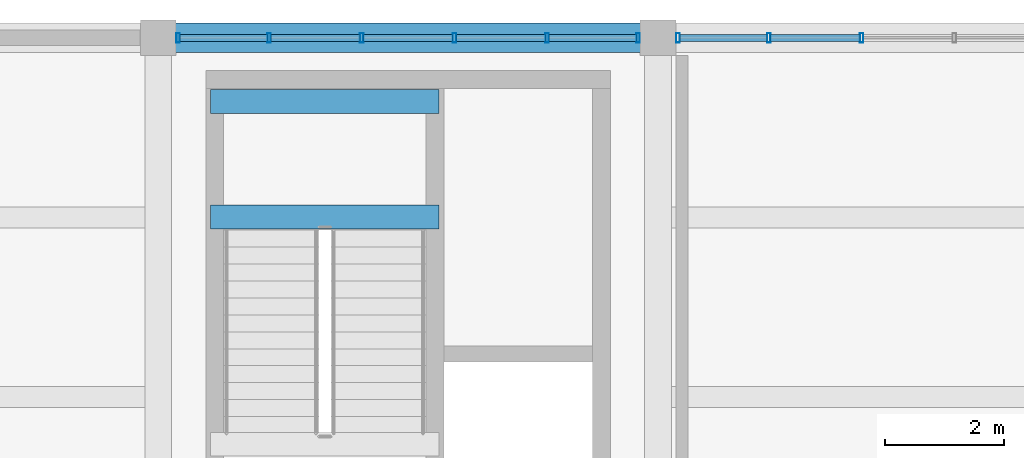
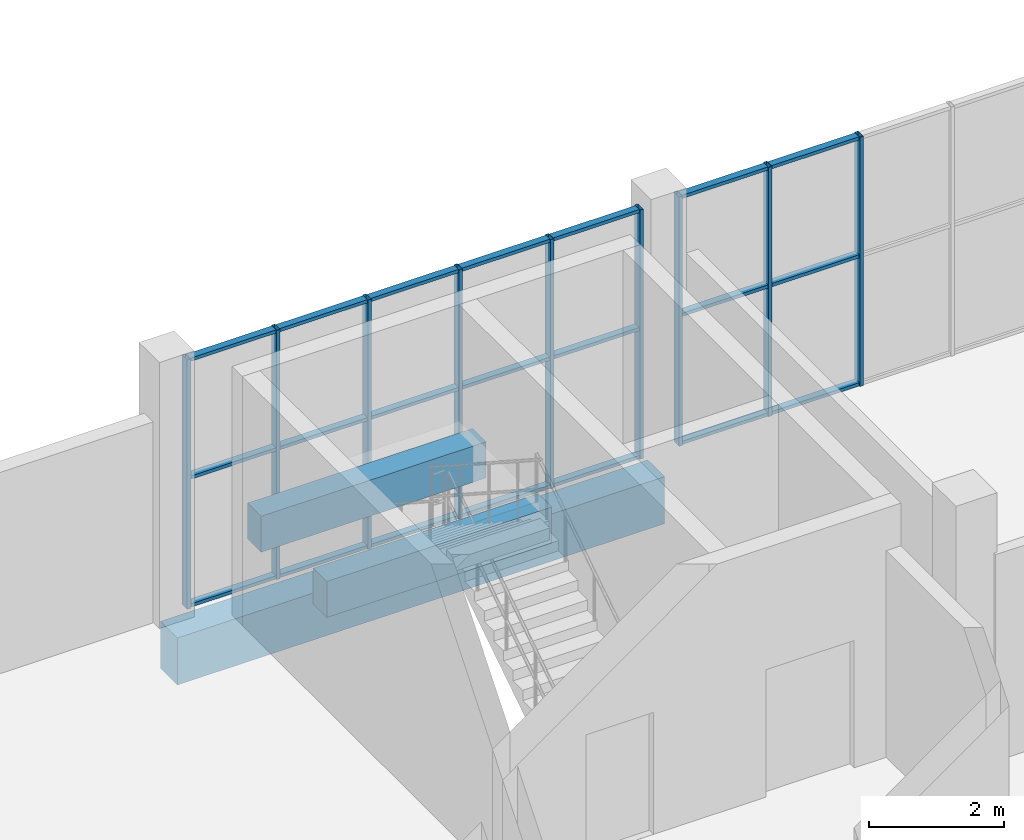
# One storey, part 35 of 80: 30 members, 3 beams, 2 elements without a shape of their own.
"""IFC4 building model written with IfcOpenShell, lengths in metres."""

import ifcopenshell
import ifcopenshell.guid

model = None  # the IFC model being written
_history = None  # IfcOwnerHistory: only IFC2X3 demands one
_inside = {}  # id of a spatial element -> (the spatial element, [elements in it])
_under = {}  # id of a project, library or spatial element -> (it, [spatial elements below it])
_declared = {}  # id of a project -> (the project, [libraries it declares])
_typed = {}  # id of a type object -> (the type object, [elements of that type])
_made_of = {}  # id of a material, layer set ... -> (it, [elements and type objects made of it])


def new_model(schema):
    """Start an empty IFC model of exactly this schema.

    Asked for "IFC4X3", IfcOpenShell would pick the latest addendum, in which some entities
    have other attributes; the version numbers below select the first issue.
    IFC2X3 requires an IfcOwnerHistory on every rooted entity: one is made here for all.
    """
    global model, _history
    if schema == "IFC4X3":
        model = ifcopenshell.file(schema_version=(4, 3, 0, 0))
    else:
        model = ifcopenshell.file(schema=schema)
    _inside.clear()
    _under.clear()
    _declared.clear()
    _typed.clear()
    _made_of.clear()
    _history = None
    if model.schema == "IFC2X3":
        org = make("IfcOrganization", Name="unknown")
        user = make(
            "IfcPersonAndOrganization",
            ThePerson=make("IfcPerson", FamilyName="unknown"),
            TheOrganization=org,
        )
        app = make(
            "IfcApplication",
            ApplicationDeveloper=org,
            Version="unknown",
            ApplicationFullName="unknown",
            ApplicationIdentifier="unknown",
        )
        _history = make(
            "IfcOwnerHistory",
            OwningUser=user,
            OwningApplication=app,
            ChangeAction="ADDED",
            CreationDate=0,
        )
    return model


def make(cls, **values):
    """One entity of the class cls with the attributes given. An attribute that is None is left unset."""
    return model.create_entity(
        cls, **{name: value for name, value in values.items() if value is not None}
    )


def rooted(cls, **values):
    """An entity with a GlobalId (a new one), such as an element, a storey or a relation."""
    return make(cls, GlobalId=ifcopenshell.guid.new(), OwnerHistory=_history, **values)


def si_unit(unit_type, name, prefix=None):
    """IfcSIUnit, for example si_unit("LENGTHUNIT", "METRE", prefix="MILLI")."""
    return make("IfcSIUnit", UnitType=unit_type, Prefix=prefix, Name=name)


def assignment(units):
    """IfcUnitAssignment: the units of a project."""
    return None if units is None else make("IfcUnitAssignment", Units=units)


def point(xyz):
    """IfcCartesianPoint."""
    return None if xyz is None else make("IfcCartesianPoint", Coordinates=xyz)


def direction(xyz):
    """IfcDirection."""
    return None if xyz is None else make("IfcDirection", DirectionRatios=xyz)


def frame(location, z_axis=None, x_axis=None):
    """IfcAxis2Placement3D, a coordinate frame: its origin and axes. An axis left out is left unset."""
    return make(
        "IfcAxis2Placement3D",
        Location=point(location),
        Axis=direction(z_axis),
        RefDirection=direction(x_axis),
    )


def frame_2d(location, x_axis=None):
    """IfcAxis2Placement2D, a coordinate frame in the plane: its origin and x axis."""
    return make(
        "IfcAxis2Placement2D", Location=point(location), RefDirection=direction(x_axis)
    )


def origin():
    """The frame at (0, 0, 0) with its axes left unset."""
    return frame((0.0, 0.0, 0.0))


def origin_2d():
    """The frame at (0, 0) in the plane with its x axis left unset."""
    return frame_2d((0.0, 0.0))


def place(relative_to, where):
    """IfcLocalPlacement: puts the frame where relative to a parent placement (None: the world)."""
    return make(
        "IfcLocalPlacement", PlacementRelTo=relative_to, RelativePlacement=where
    )


def context(
    kind, dimensions, precision=None, world=None, true_north=None, identifier=None
):
    """IfcGeometricRepresentationContext, for example the 3D "Model" context."""
    return make(
        "IfcGeometricRepresentationContext",
        ContextIdentifier=identifier,
        ContextType=kind,
        CoordinateSpaceDimension=dimensions,
        Precision=precision,
        WorldCoordinateSystem=world,
        TrueNorth=true_north,
    )


def subcontext(parent, identifier, kind, view, scale=None):
    """IfcGeometricRepresentationSubContext, for example "Body" below "Model"."""
    return make(
        "IfcGeometricRepresentationSubContext",
        ContextIdentifier=identifier,
        ContextType=kind,
        ParentContext=parent,
        TargetScale=scale,
        TargetView=view,
    )


def project(units=None, contexts=None):
    """IfcProject with its units and contexts."""
    return rooted(
        "IfcProject",
        Name="project",
        RepresentationContexts=contexts,
        UnitsInContext=assignment(units),
    )


def spatial(cls, under=None, at=None, **own):
    """A site, building, storey or space (cls), placed at a placement, below another one or the project."""
    s = rooted(cls, ObjectPlacement=at, **own)
    if under is not None:
        _under.setdefault(under.id(), (under, []))[1].append(s)
    return s


def profile(cls, at=None, kind="AREA", **sizes):
    """A parametric profile (cls). Its sizes go by their IFC names, for example OverallWidth=200.0."""
    return make(cls, ProfileType=kind, Position=at, **sizes)


def rectangle(**sizes):
    """IfcRectangleProfileDef."""
    return profile("IfcRectangleProfileDef", **sizes)


def hollow_rectangle(**sizes):
    """IfcRectangleHollowProfileDef."""
    return profile("IfcRectangleHollowProfileDef", **sizes)


def extrude(swept, where, along, depth):
    """IfcExtrudedAreaSolid: the profile swept, set in the frame where, extruded along a direction by depth."""
    return make(
        "IfcExtrudedAreaSolid",
        SweptArea=swept,
        Position=where,
        ExtrudedDirection=direction(along),
        Depth=depth,
    )


def shape(context_of_items, identifier, shape_type, items):
    """IfcShapeRepresentation: the items that make up one representation, for example the "Body"."""
    return make(
        "IfcShapeRepresentation",
        ContextOfItems=context_of_items,
        RepresentationIdentifier=identifier,
        RepresentationType=shape_type,
        Items=items,
    )


def material(Name=None, Category=None):
    """IfcMaterial."""
    return make("IfcMaterial", Name=Name, Category=Category)


def material_profile(
    of_material, cross_section, Name=None, Category=None, Priority=None
):
    """IfcMaterialProfile: a cross section and its material."""
    return make(
        "IfcMaterialProfile",
        Name=Name,
        Material=of_material,
        Profile=cross_section,
        Priority=Priority,
        Category=Category,
    )


def profile_set(profiles, Name=None, composite=None):
    """IfcMaterialProfileSet."""
    return make(
        "IfcMaterialProfileSet",
        Name=Name,
        MaterialProfiles=profiles,
        CompositeProfile=composite,
    )


def made_of(thing, what):
    """Note that an element or type object is made of a material, layer set ...; save() writes the relation."""
    if what is not None:
        _made_of.setdefault(what.id(), (what, []))[1].append(thing)
    return thing


def type_object(cls, material=None, **own):
    """A type object (cls), such as IfcWallType, which elements share."""
    return made_of(rooted(cls, **own), material)


def element(
    cls,
    number,
    at=None,
    inside=None,
    cuts=None,
    type_object=None,
    material=None,
    context=None,
    identifier="Body",
    shape_type=None,
    held_by="IfcProductDefinitionShape",
    body=None,
    shapes=None,
    **own,
):
    """One element of the class cls, such as IfcWall. Its Tag is "e" and its number.

    at: its placement. inside: the storey or other place that contains it. cuts: it is an
    opening in that element (IfcRelVoidsElement). A single representation is given by context,
    identifier, shape_type and body (its items); several are given by shapes. held_by: the class
    of the entity that holds the representations. save() writes the other relations.
    """
    e = rooted(cls, Tag="e%d" % number, ObjectPlacement=at, **own)
    if body is not None:
        shapes = [shape(context, identifier, shape_type, body)]
    if shapes is not None:
        e.Representation = make(held_by, Representations=shapes)
    if inside is not None:
        _inside.setdefault(inside.id(), (inside, []))[1].append(e)
    if cuts is not None:
        rooted(
            "IfcRelVoidsElement", RelatingBuildingElement=cuts, RelatedOpeningElement=e
        )
    if type_object is not None:
        _typed.setdefault(type_object.id(), (type_object, []))[1].append(e)
    return made_of(e, material)


def aggregate(whole, parts):
    """IfcRelAggregates: a whole, such as a stair, and the parts it consists of."""
    return rooted("IfcRelAggregates", RelatingObject=whole, RelatedObjects=parts)


def save(model, path):
    """Write the relations noted so far, then the file.

    IfcRelAggregates (storeys below a building ...), IfcRelContainedInSpatialStructure (elements
    in a storey), IfcRelDefinesByType, IfcRelAssociatesMaterial and IfcRelDeclares: one each for
    every whole, place, type object, material and project.
    """
    for whole, parts in _under.values():
        aggregate(whole, parts)
    for where, things in _inside.values():
        rooted(
            "IfcRelContainedInSpatialStructure",
            RelatedElements=things,
            RelatingStructure=where,
        )
    for kind, things in _typed.values():
        rooted("IfcRelDefinesByType", RelatedObjects=things, RelatingType=kind)
    for what, things in _made_of.values():
        rooted("IfcRelAssociatesMaterial", RelatedObjects=things, RelatingMaterial=what)
    for by, libraries in _declared.values():
        rooted("IfcRelDeclares", RelatingContext=by, RelatedDefinitions=libraries)
    model.write(path)


model = new_model("IFC4")

# Units and contexts
model_context = context("Model", 3, precision=1e-05, world=origin(), true_north=direction((0.0, 1.0)))
body_context = subcontext(model_context, "Body", "Model", "MODEL_VIEW")
ifc_project = project(units=[si_unit("LENGTHUNIT", "METRE"), si_unit("AREAUNIT", "SQUARE_METRE"), si_unit("VOLUMEUNIT", "CUBIC_METRE"), si_unit("PLANEANGLEUNIT", "RADIAN"), si_unit("MASSUNIT", "GRAM", prefix="KILO")], contexts=[model_context])

# Site, building, storey
site_placement = place(None, origin())
site = spatial("IfcSite", under=ifc_project, at=site_placement, CompositionType="ELEMENT")
building_placement = place(site_placement, origin())
building = spatial("IfcBuilding", under=site, at=building_placement, Name="Khurvash Pelagic Aquarium", CompositionType="ELEMENT")
storey_placement = place(building_placement, frame((0.0, 0.0, 10.800048828125)))
storey = spatial("IfcBuildingStorey", under=building, at=storey_placement, Name="L02", CompositionType="ELEMENT", Elevation=10.800048828125)

# Beams
ifc_material_1 = material(Name="Concrete C35/45", Category="concrete")
ifc_material_profile_1 = material_profile(ifc_material_1, rectangle(XDim=0.39990234375, YDim=0.64990234375, at=origin_2d()), Name="RC400X650")
ifc_profile_set_1 = profile_set([ifc_material_profile_1], Name="Concrete C35/45")
beam_type_1 = type_object("IfcBeamType", Name="BM-05", PredefinedType="BEAM", material=ifc_profile_set_1)
for number, where, z_axis, x_axis, name in (
    (1, (68.080078125, 99.139892578125, 1.875), (1.0, 0.0, 0.0), (0.0, 1.0, 0.0), "L02 Stair ST-04 Mid-Landing Trimmer Beam BM-05"),
    (2, (68.080078125, 101.080078125, 1.875), (1.0, 0.0, 0.0), (0.0, 1.0, 0.0), "L02 Stair ST-04 Mid-Landing Trimmer Beam BM-05"),
):
    element("IfcBeam", number, at=place(storey_placement, frame(where, z_axis=z_axis, x_axis=x_axis)), inside=storey, type_object=beam_type_1, Name=name, PredefinedType="BEAM", context=body_context, shape_type="SweptSolid", body=[
        extrude(rectangle(XDim=0.39990234375, YDim=0.64990234375, at=origin_2d()), origin(), (0.0, 0.0, 1.0), 3.83984375),
    ])

# Curtain wall, members
ifc_material_2 = material(Name="Anodised aluminium and low-E laminated glass", Category="aluminium")
curtain_wall_type = type_object("IfcCurtainWallType", Name="CW-06", PredefinedType="USERDEFINED", material=ifc_material_2)
curtain_wall_1_placement = place(storey_placement, origin())
curtain_wall_1 = element("IfcCurtainWall", 3, at=curtain_wall_1_placement, inside=storey, type_object=curtain_wall_type, Name="L02 Facade Unitised Curtain Wall CW-06 0167", ObjectType="UNITISED CURTAIN WALL", PredefinedType="USERDEFINED")
ifc_material_3 = material(Name="Extruded aluminium AW-6063-T6", Category="aluminium")
ifc_material_profile_2 = material_profile(ifc_material_3, hollow_rectangle(XDim=0.06005859375, YDim=0.159912109375, WallThickness=0.00390625, at=origin_2d()), Name="CWM60X160X4")
ifc_profile_set_2 = profile_set([ifc_material_profile_2], Name="Extruded aluminium AW-6063-T6")
member_type_1 = type_object("IfcMemberType", Name="CM-02", PredefinedType="MULLION", material=ifc_profile_set_2)
member_1_placement = place(storey_placement, frame((79.02099609375, 102.14990234375, 0.0), z_axis=(0.0, 0.0, 1.0), x_axis=(-1.0, 0.0, 0.0)))
member_1 = element("IfcMember", 4, at=member_1_placement, type_object=member_type_1, Name="CW-06 mullion 4", PredefinedType="MULLION", context=body_context, shape_type="SweptSolid", body=[
    extrude(hollow_rectangle(XDim=0.06005859375, YDim=0.159912109375, WallThickness=0.00390625, at=origin_2d()), origin(), (0.0, 0.0, 1.0), 4.5),
])
member_2_placement = place(storey_placement, frame((77.462890625, 102.14990234375, 0.0), z_axis=(0.0, 0.0, 1.0), x_axis=(-1.0, 0.0, 0.0)))
member_2 = element("IfcMember", 5, at=member_2_placement, type_object=member_type_1, Name="CW-06 mullion 5", PredefinedType="MULLION", context=body_context, shape_type="SweptSolid", body=[
    extrude(hollow_rectangle(XDim=0.06005859375, YDim=0.159912109375, WallThickness=0.00390625, at=origin_2d()), origin(), (0.0, 0.0, 1.0), 4.5),
])
member_3_placement = place(storey_placement, frame((75.93505859375, 102.14990234375, 0.0), z_axis=(0.0, 0.0, 1.0), x_axis=(-1.0, 0.0, 0.0)))
member_3 = element("IfcMember", 6, at=member_3_placement, type_object=member_type_1, Name="CW-06 mullion 6", PredefinedType="MULLION", context=body_context, shape_type="SweptSolid", body=[
    extrude(hollow_rectangle(XDim=0.06005859375, YDim=0.159912109375, WallThickness=0.00390625, at=origin_2d()), origin(), (0.0, 0.0, 1.0), 4.5),
])

curtain_wall_2_placement = place(storey_placement, origin())
curtain_wall_2 = element("IfcCurtainWall", 7, at=curtain_wall_2_placement, inside=storey, type_object=curtain_wall_type, Name="L02 Facade Unitised Curtain Wall CW-06 0168", ObjectType="UNITISED CURTAIN WALL", PredefinedType="USERDEFINED")
member_4_placement = place(storey_placement, frame((75.264892578125, 102.14990234375, 0.0), z_axis=(0.0, 0.0, 1.0), x_axis=(-1.0, 0.0, 0.0)))
member_4 = element("IfcMember", 8, at=member_4_placement, type_object=member_type_1, Name="CW-06 mullion 1", PredefinedType="MULLION", context=body_context, shape_type="SweptSolid", body=[
    extrude(hollow_rectangle(XDim=0.06005859375, YDim=0.159912109375, WallThickness=0.00390625, at=origin_2d()), origin(), (0.0, 0.0, 1.0), 4.5),
])
member_5_placement = place(storey_placement, frame((73.737060546875, 102.14990234375, 0.0), z_axis=(0.0, 0.0, 1.0), x_axis=(-1.0, 0.0, 0.0)))
member_5 = element("IfcMember", 9, at=member_5_placement, type_object=member_type_1, Name="CW-06 mullion 2", PredefinedType="MULLION", context=body_context, shape_type="SweptSolid", body=[
    extrude(hollow_rectangle(XDim=0.06005859375, YDim=0.159912109375, WallThickness=0.00390625, at=origin_2d()), origin(), (0.0, 0.0, 1.0), 4.5),
])
member_6_placement = place(storey_placement, frame((72.178955078125, 102.14990234375, 0.0), z_axis=(0.0, 0.0, 1.0), x_axis=(-1.0, 0.0, 0.0)))
member_6 = element("IfcMember", 10, at=member_6_placement, type_object=member_type_1, Name="CW-06 mullion 3", PredefinedType="MULLION", context=body_context, shape_type="SweptSolid", body=[
    extrude(hollow_rectangle(XDim=0.06005859375, YDim=0.159912109375, WallThickness=0.00390625, at=origin_2d()), origin(), (0.0, 0.0, 1.0), 4.5),
])
member_7_placement = place(storey_placement, frame((70.62109375, 102.14990234375, 0.0), z_axis=(0.0, 0.0, 1.0), x_axis=(-1.0, 0.0, 0.0)))
member_7 = element("IfcMember", 11, at=member_7_placement, type_object=member_type_1, Name="CW-06 mullion 4", PredefinedType="MULLION", context=body_context, shape_type="SweptSolid", body=[
    extrude(hollow_rectangle(XDim=0.06005859375, YDim=0.159912109375, WallThickness=0.00390625, at=origin_2d()), origin(), (0.0, 0.0, 1.0), 4.5),
])
member_8_placement = place(storey_placement, frame((69.06298828125, 102.14990234375, 0.0), z_axis=(0.0, 0.0, 1.0), x_axis=(-1.0, 0.0, 0.0)))
member_8 = element("IfcMember", 12, at=member_8_placement, type_object=member_type_1, Name="CW-06 mullion 5", PredefinedType="MULLION", context=body_context, shape_type="SweptSolid", body=[
    extrude(hollow_rectangle(XDim=0.06005859375, YDim=0.159912109375, WallThickness=0.00390625, at=origin_2d()), origin(), (0.0, 0.0, 1.0), 4.5),
])
member_9_placement = place(storey_placement, frame((67.534912109375, 102.14990234375, 0.0), z_axis=(0.0, 0.0, 1.0), x_axis=(-1.0, 0.0, 0.0)))
member_9 = element("IfcMember", 13, at=member_9_placement, type_object=member_type_1, Name="CW-06 mullion 6", PredefinedType="MULLION", context=body_context, shape_type="SweptSolid", body=[
    extrude(hollow_rectangle(XDim=0.06005859375, YDim=0.159912109375, WallThickness=0.00390625, at=origin_2d()), origin(), (0.0, 0.0, 1.0), 4.5),
])

# Member
ifc_material_profile_3 = material_profile(ifc_material_3, hollow_rectangle(XDim=0.1201171875, YDim=0.06005859375, WallThickness=0.00390625, at=origin_2d()), Name="CWT120X60X4")
ifc_profile_set_3 = profile_set([ifc_material_profile_3], Name="Extruded aluminium AW-6063-T6")
member_type_2 = type_object("IfcMemberType", Name="CT-02", PredefinedType="USERDEFINED", material=ifc_profile_set_3)
member_10_placement = place(storey_placement, frame((78.990966796875, 102.14990234375, 0.030029296875), z_axis=(-1.0, 0.0, 0.0), x_axis=(0.0, -1.0, 0.0)))
member_10 = element("IfcMember", 14, at=member_10_placement, type_object=member_type_2, Name="CW-06 transom 4.1", ObjectType="TRANSOM", PredefinedType="USERDEFINED", context=body_context, shape_type="SweptSolid", body=[
    extrude(hollow_rectangle(XDim=0.1201171875, YDim=0.06005859375, WallThickness=0.00390625, at=origin_2d()), origin(), (0.0, 0.0, 1.0), 1.498046875),
])

member_11_placement = place(storey_placement, frame((78.990966796875, 102.14990234375, 2.33984375), z_axis=(-1.0, 0.0, 0.0), x_axis=(0.0, -1.0, 0.0)))
member_11 = element("IfcMember", 15, at=member_11_placement, type_object=member_type_2, Name="CW-06 transom 4.2", ObjectType="TRANSOM", PredefinedType="USERDEFINED", context=body_context, shape_type="SweptSolid", body=[
    extrude(hollow_rectangle(XDim=0.1201171875, YDim=0.06005859375, WallThickness=0.00390625, at=origin_2d()), origin(), (0.0, 0.0, 1.0), 1.498046875),
])

member_12_placement = place(storey_placement, frame((78.990966796875, 102.14990234375, 4.469970703125), z_axis=(-1.0, 0.0, 0.0), x_axis=(0.0, -1.0, 0.0)))
member_12 = element("IfcMember", 16, at=member_12_placement, type_object=member_type_2, Name="CW-06 transom 4.3", ObjectType="TRANSOM", PredefinedType="USERDEFINED", context=body_context, shape_type="SweptSolid", body=[
    extrude(hollow_rectangle(XDim=0.1201171875, YDim=0.06005859375, WallThickness=0.00390625, at=origin_2d()), origin(), (0.0, 0.0, 1.0), 1.498046875),
])

member_13_placement = place(storey_placement, frame((77.43310546875, 102.14990234375, 0.030029296875), z_axis=(-1.0, 0.0, 0.0), x_axis=(0.0, -1.0, 0.0)))
member_13 = element("IfcMember", 17, at=member_13_placement, type_object=member_type_2, Name="CW-06 transom 5.1", ObjectType="TRANSOM", PredefinedType="USERDEFINED", context=body_context, shape_type="SweptSolid", body=[
    extrude(hollow_rectangle(XDim=0.1201171875, YDim=0.06005859375, WallThickness=0.00390625, at=origin_2d()), origin(), (0.0, 0.0, 1.0), 1.468017578125),
])

member_14_placement = place(storey_placement, frame((77.43310546875, 102.14990234375, 2.33984375), z_axis=(-1.0, 0.0, 0.0), x_axis=(0.0, -1.0, 0.0)))
member_14 = element("IfcMember", 18, at=member_14_placement, type_object=member_type_2, Name="CW-06 transom 5.2", ObjectType="TRANSOM", PredefinedType="USERDEFINED", context=body_context, shape_type="SweptSolid", body=[
    extrude(hollow_rectangle(XDim=0.1201171875, YDim=0.06005859375, WallThickness=0.00390625, at=origin_2d()), origin(), (0.0, 0.0, 1.0), 1.468017578125),
])

member_15_placement = place(storey_placement, frame((77.43310546875, 102.14990234375, 4.469970703125), z_axis=(-1.0, 0.0, 0.0), x_axis=(0.0, -1.0, 0.0)))
member_15 = element("IfcMember", 19, at=member_15_placement, type_object=member_type_2, Name="CW-06 transom 5.3", ObjectType="TRANSOM", PredefinedType="USERDEFINED", context=body_context, shape_type="SweptSolid", body=[
    extrude(hollow_rectangle(XDim=0.1201171875, YDim=0.06005859375, WallThickness=0.00390625, at=origin_2d()), origin(), (0.0, 0.0, 1.0), 1.468017578125),
])

aggregate(curtain_wall_1, [member_1, member_2, member_3, member_10, member_11, member_12, member_13, member_14, member_15])

member_16_placement = place(storey_placement, frame((75.235107421875, 102.14990234375, 0.030029296875), z_axis=(-1.0, 0.0, 0.0), x_axis=(0.0, -1.0, 0.0)))
member_16 = element("IfcMember", 20, at=member_16_placement, type_object=member_type_2, Name="CW-06 transom 1.1", ObjectType="TRANSOM", PredefinedType="USERDEFINED", context=body_context, shape_type="SweptSolid", body=[
    extrude(hollow_rectangle(XDim=0.1201171875, YDim=0.06005859375, WallThickness=0.00390625, at=origin_2d()), origin(), (0.0, 0.0, 1.0), 1.468017578125),
])

member_17_placement = place(storey_placement, frame((75.235107421875, 102.14990234375, 2.33984375), z_axis=(-1.0, 0.0, 0.0), x_axis=(0.0, -1.0, 0.0)))
member_17 = element("IfcMember", 21, at=member_17_placement, type_object=member_type_2, Name="CW-06 transom 1.2", ObjectType="TRANSOM", PredefinedType="USERDEFINED", context=body_context, shape_type="SweptSolid", body=[
    extrude(hollow_rectangle(XDim=0.1201171875, YDim=0.06005859375, WallThickness=0.00390625, at=origin_2d()), origin(), (0.0, 0.0, 1.0), 1.468017578125),
])

member_18_placement = place(storey_placement, frame((75.235107421875, 102.14990234375, 4.469970703125), z_axis=(-1.0, 0.0, 0.0), x_axis=(0.0, -1.0, 0.0)))
member_18 = element("IfcMember", 22, at=member_18_placement, type_object=member_type_2, Name="CW-06 transom 1.3", ObjectType="TRANSOM", PredefinedType="USERDEFINED", context=body_context, shape_type="SweptSolid", body=[
    extrude(hollow_rectangle(XDim=0.1201171875, YDim=0.06005859375, WallThickness=0.00390625, at=origin_2d()), origin(), (0.0, 0.0, 1.0), 1.468017578125),
])

member_19_placement = place(storey_placement, frame((73.70703125, 102.14990234375, 0.030029296875), z_axis=(-1.0, 0.0, 0.0), x_axis=(0.0, -1.0, 0.0)))
member_19 = element("IfcMember", 23, at=member_19_placement, type_object=member_type_2, Name="CW-06 transom 2.1", ObjectType="TRANSOM", PredefinedType="USERDEFINED", context=body_context, shape_type="SweptSolid", body=[
    extrude(hollow_rectangle(XDim=0.1201171875, YDim=0.06005859375, WallThickness=0.00390625, at=origin_2d()), origin(), (0.0, 0.0, 1.0), 1.498046875),
])

member_20_placement = place(storey_placement, frame((73.70703125, 102.14990234375, 2.33984375), z_axis=(-1.0, 0.0, 0.0), x_axis=(0.0, -1.0, 0.0)))
member_20 = element("IfcMember", 24, at=member_20_placement, type_object=member_type_2, Name="CW-06 transom 2.2", ObjectType="TRANSOM", PredefinedType="USERDEFINED", context=body_context, shape_type="SweptSolid", body=[
    extrude(hollow_rectangle(XDim=0.1201171875, YDim=0.06005859375, WallThickness=0.00390625, at=origin_2d()), origin(), (0.0, 0.0, 1.0), 1.498046875),
])

member_21_placement = place(storey_placement, frame((73.70703125, 102.14990234375, 4.469970703125), z_axis=(-1.0, 0.0, 0.0), x_axis=(0.0, -1.0, 0.0)))
member_21 = element("IfcMember", 25, at=member_21_placement, type_object=member_type_2, Name="CW-06 transom 2.3", ObjectType="TRANSOM", PredefinedType="USERDEFINED", context=body_context, shape_type="SweptSolid", body=[
    extrude(hollow_rectangle(XDim=0.1201171875, YDim=0.06005859375, WallThickness=0.00390625, at=origin_2d()), origin(), (0.0, 0.0, 1.0), 1.498046875),
])

member_22_placement = place(storey_placement, frame((72.14892578125, 102.14990234375, 0.030029296875), z_axis=(-1.0, 0.0, 0.0), x_axis=(0.0, -1.0, 0.0)))
member_22 = element("IfcMember", 26, at=member_22_placement, type_object=member_type_2, Name="CW-06 transom 3.1", ObjectType="TRANSOM", PredefinedType="USERDEFINED", context=body_context, shape_type="SweptSolid", body=[
    extrude(hollow_rectangle(XDim=0.1201171875, YDim=0.06005859375, WallThickness=0.00390625, at=origin_2d()), origin(), (0.0, 0.0, 1.0), 1.498046875),
])

member_23_placement = place(storey_placement, frame((72.14892578125, 102.14990234375, 2.33984375), z_axis=(-1.0, 0.0, 0.0), x_axis=(0.0, -1.0, 0.0)))
member_23 = element("IfcMember", 27, at=member_23_placement, type_object=member_type_2, Name="CW-06 transom 3.2", ObjectType="TRANSOM", PredefinedType="USERDEFINED", context=body_context, shape_type="SweptSolid", body=[
    extrude(hollow_rectangle(XDim=0.1201171875, YDim=0.06005859375, WallThickness=0.00390625, at=origin_2d()), origin(), (0.0, 0.0, 1.0), 1.498046875),
])

member_24_placement = place(storey_placement, frame((72.14892578125, 102.14990234375, 4.469970703125), z_axis=(-1.0, 0.0, 0.0), x_axis=(0.0, -1.0, 0.0)))
member_24 = element("IfcMember", 28, at=member_24_placement, type_object=member_type_2, Name="CW-06 transom 3.3", ObjectType="TRANSOM", PredefinedType="USERDEFINED", context=body_context, shape_type="SweptSolid", body=[
    extrude(hollow_rectangle(XDim=0.1201171875, YDim=0.06005859375, WallThickness=0.00390625, at=origin_2d()), origin(), (0.0, 0.0, 1.0), 1.498046875),
])

member_25_placement = place(storey_placement, frame((70.591064453125, 102.14990234375, 0.030029296875), z_axis=(-1.0, 0.0, 0.0), x_axis=(0.0, -1.0, 0.0)))
member_25 = element("IfcMember", 29, at=member_25_placement, type_object=member_type_2, Name="CW-06 transom 4.1", ObjectType="TRANSOM", PredefinedType="USERDEFINED", context=body_context, shape_type="SweptSolid", body=[
    extrude(hollow_rectangle(XDim=0.1201171875, YDim=0.06005859375, WallThickness=0.00390625, at=origin_2d()), origin(), (0.0, 0.0, 1.0), 1.498046875),
])

member_26_placement = place(storey_placement, frame((70.591064453125, 102.14990234375, 2.33984375), z_axis=(-1.0, 0.0, 0.0), x_axis=(0.0, -1.0, 0.0)))
member_26 = element("IfcMember", 30, at=member_26_placement, type_object=member_type_2, Name="CW-06 transom 4.2", ObjectType="TRANSOM", PredefinedType="USERDEFINED", context=body_context, shape_type="SweptSolid", body=[
    extrude(hollow_rectangle(XDim=0.1201171875, YDim=0.06005859375, WallThickness=0.00390625, at=origin_2d()), origin(), (0.0, 0.0, 1.0), 1.498046875),
])

member_27_placement = place(storey_placement, frame((70.591064453125, 102.14990234375, 4.469970703125), z_axis=(-1.0, 0.0, 0.0), x_axis=(0.0, -1.0, 0.0)))
member_27 = element("IfcMember", 31, at=member_27_placement, type_object=member_type_2, Name="CW-06 transom 4.3", ObjectType="TRANSOM", PredefinedType="USERDEFINED", context=body_context, shape_type="SweptSolid", body=[
    extrude(hollow_rectangle(XDim=0.1201171875, YDim=0.06005859375, WallThickness=0.00390625, at=origin_2d()), origin(), (0.0, 0.0, 1.0), 1.498046875),
])

member_28_placement = place(storey_placement, frame((69.032958984375, 102.14990234375, 0.030029296875), z_axis=(-1.0, 0.0, 0.0), x_axis=(0.0, -1.0, 0.0)))
member_28 = element("IfcMember", 32, at=member_28_placement, type_object=member_type_2, Name="CW-06 transom 5.1", ObjectType="TRANSOM", PredefinedType="USERDEFINED", context=body_context, shape_type="SweptSolid", body=[
    extrude(hollow_rectangle(XDim=0.1201171875, YDim=0.06005859375, WallThickness=0.00390625, at=origin_2d()), origin(), (0.0, 0.0, 1.0), 1.468017578125),
])

member_29_placement = place(storey_placement, frame((69.032958984375, 102.14990234375, 2.33984375), z_axis=(-1.0, 0.0, 0.0), x_axis=(0.0, -1.0, 0.0)))
member_29 = element("IfcMember", 33, at=member_29_placement, type_object=member_type_2, Name="CW-06 transom 5.2", ObjectType="TRANSOM", PredefinedType="USERDEFINED", context=body_context, shape_type="SweptSolid", body=[
    extrude(hollow_rectangle(XDim=0.1201171875, YDim=0.06005859375, WallThickness=0.00390625, at=origin_2d()), origin(), (0.0, 0.0, 1.0), 1.468017578125),
])

member_30_placement = place(storey_placement, frame((69.032958984375, 102.14990234375, 4.469970703125), z_axis=(-1.0, 0.0, 0.0), x_axis=(0.0, -1.0, 0.0)))
member_30 = element("IfcMember", 34, at=member_30_placement, type_object=member_type_2, Name="CW-06 transom 5.3", ObjectType="TRANSOM", PredefinedType="USERDEFINED", context=body_context, shape_type="SweptSolid", body=[
    extrude(hollow_rectangle(XDim=0.1201171875, YDim=0.06005859375, WallThickness=0.00390625, at=origin_2d()), origin(), (0.0, 0.0, 1.0), 1.468017578125),
])

aggregate(curtain_wall_2, [member_4, member_5, member_6, member_7, member_8, member_9, member_16, member_17, member_18, member_19, member_20, member_21, member_22, member_23, member_24, member_25, member_26, member_27, member_28, member_29, member_30])

# Beam
ifc_material_4 = material(Name="Concrete C40/50", Category="concrete")
ifc_material_profile_4 = material_profile(ifc_material_4, rectangle(XDim=0.5, YDim=0.85009765625, at=origin_2d()), Name="RC500X850")
ifc_profile_set_4 = profile_set([ifc_material_profile_4], Name="Concrete C40/50")
beam_type_2 = type_object("IfcBeamType", Name="SEB-03", PredefinedType="SPANDREL", material=ifc_profile_set_4)
beam_placement = place(storey_placement, frame((67.239990234375, 102.14990234375, -0.7451171875), z_axis=(1.0, 0.0, 0.0), x_axis=(0.0, 1.0, 0.0)))
element("IfcBeam", 35, at=beam_placement, inside=storey, type_object=beam_type_2, Name="L02 Primary Girder SEB-03 00643", PredefinedType="SPANDREL", context=body_context, shape_type="SweptSolid", body=[
    extrude(rectangle(XDim=0.5, YDim=0.85009765625, at=origin_2d()), origin(), (0.0, 0.0, 1.0), 8.320068359375),
])

save(model, "model.ifc")
